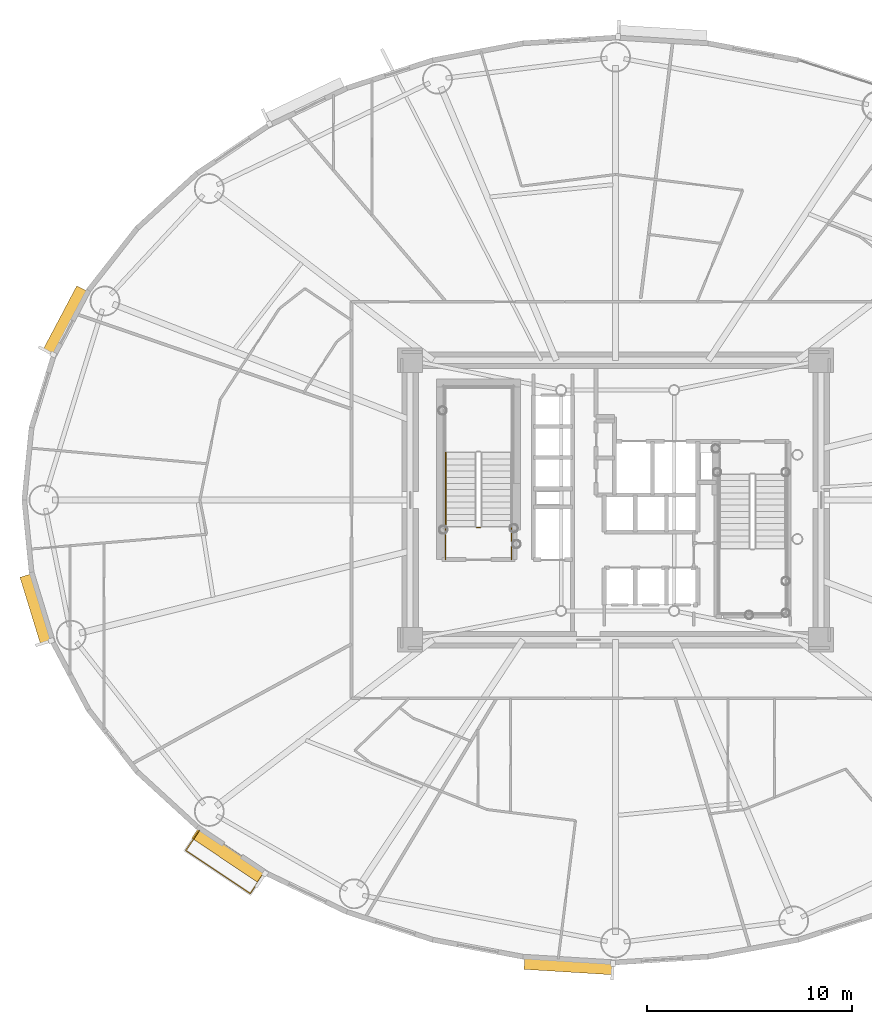
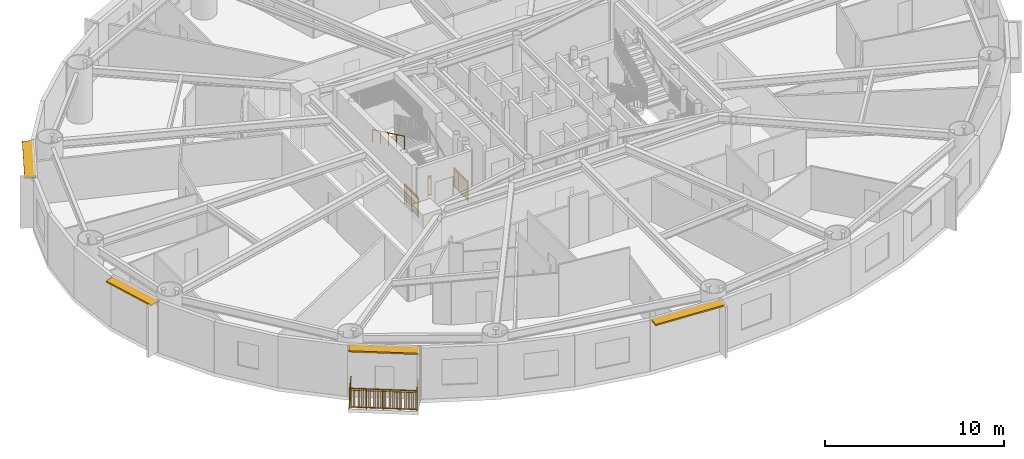
# One storey, part 13 of 18: 5 railings, 4 shading devices.
"""IFC4 building model written with IfcOpenShell, lengths in metres."""

from ifc_helpers import new_model, si_unit, direction, frame, origin, origin_2d, place, context, subcontext, project, spatial, rectangle, extrude, source, transform, mapped, material, layer, layer_set, type_object, element, save


model = new_model("IFC4")

# Units and contexts
model_context = context("Model", 3, precision=1e-05, world=origin(), true_north=direction((0.0, 1.0)))
body_context = subcontext(model_context, "Body", "Model", "MODEL_VIEW")
ifc_project = project(units=[si_unit("LENGTHUNIT", "METRE"), si_unit("AREAUNIT", "SQUARE_METRE"), si_unit("VOLUMEUNIT", "CUBIC_METRE"), si_unit("PLANEANGLEUNIT", "RADIAN"), si_unit("MASSUNIT", "GRAM", prefix="KILO")], contexts=[model_context])

# Site, building, storey
site_placement = place(None, origin())
site = spatial("IfcSite", under=ifc_project, at=site_placement, CompositionType="ELEMENT")
building_placement = place(site_placement, origin())
building = spatial("IfcBuilding", under=site, at=building_placement, Name="Linh Dai School and Residence Tower", CompositionType="ELEMENT")
storey_placement = place(building_placement, frame((0.0, 0.0, 100.949951171875)))
storey = spatial("IfcBuildingStorey", under=building, at=storey_placement, Name="L23", CompositionType="ELEMENT", Elevation=100.949951171875)

# Shading devices
ifc_material_1 = material(Name="Terracotta Ceramic Sunshade", Category="masonry")
ifc_layer = layer(ifc_material_1, 0.10009765625)
ifc_layer_set = layer_set([ifc_layer], Name="Terracotta Ceramic Sunshade")
shading_device_type = type_object("IfcShadingDeviceType", Name="SHD-TC-650", PredefinedType="USERDEFINED", material=ifc_layer_set)
shared_shape_1 = source(origin(), body_context, "Body", "SweptSolid", [
    extrude(rectangle(XDim=3.44384765625, YDim=0.64990234375, at=origin_2d()), origin(), (0.0, 0.0, 1.0), 0.10009765625),
])
shading_device_1_placement = place(storey_placement, frame((7.83154296875, 21.686279296875, 3.3798828125), z_axis=(0.0, 0.0, 1.0), x_axis=(-0.293133528962, 0.956071511028, 0.0)))
element("IfcShadingDevice", 1, at=shading_device_1_placement, inside=storey, type_object=shading_device_type, Name="L23 Terracotta Horizontal Sunshade Band 22", ObjectType="SUNSHADE", PredefinedType="USERDEFINED", context=body_context, shape_type="MappedRepresentation", body=[
    mapped(shared_shape_1, transform((0.0, 0.0, 0.0), x_axis=(1.0, 0.0, 0.0), y_axis=(0.0, 1.0, 0.0), z_axis=(0.0, 0.0, 1.0), scale=1.0)),
])
shared_shape_2 = source(origin(), body_context, "Body", "SweptSolid", [
    extrude(rectangle(XDim=3.96484375, YDim=0.64990234375, at=origin_2d()), origin(), (0.0, 0.0, 1.0), 0.10009765625),
])
shading_device_2_placement = place(storey_placement, frame((17.19970703125, 9.711669921875, 3.3798828125), z_axis=(0.0, 0.0, 1.0), x_axis=(-0.831240347736, 0.555913198527, 0.0)))
element("IfcShadingDevice", 2, at=shading_device_2_placement, inside=storey, type_object=shading_device_type, Name="L23 Terracotta Horizontal Sunshade Band 26", ObjectType="SUNSHADE", PredefinedType="USERDEFINED", context=body_context, shape_type="MappedRepresentation", body=[
    mapped(shared_shape_2, transform((0.0, 0.0, 0.0), x_axis=(1.0, 0.0, 0.0), y_axis=(0.0, 1.0, 0.0), z_axis=(0.0, 0.0, 1.0), scale=1.0)),
])
shared_shape_3 = source(origin(), body_context, "Body", "SweptSolid", [
    extrude(rectangle(XDim=4.33349609375, YDim=0.64990234375, at=origin_2d()), origin(), (0.0, 0.0, 1.0), 0.10009765625),
])
shading_device_3_placement = place(storey_placement, frame((33.729736328125, 4.349365234375, 3.3798828125), z_axis=(0.0, 0.0, 1.0), x_axis=(-0.998106513123, 0.061509255091, 0.0)))
element("IfcShadingDevice", 3, at=shading_device_3_placement, inside=storey, type_object=shading_device_type, Name="L23 Terracotta Horizontal Sunshade Band 30", ObjectType="SUNSHADE", PredefinedType="USERDEFINED", context=body_context, shape_type="MappedRepresentation", body=[
    mapped(shared_shape_3, transform((0.0, 0.0, 0.0), x_axis=(1.0, 0.0, 0.0), y_axis=(0.0, 1.0, 0.0), z_axis=(0.0, 0.0, 1.0), scale=1.0)),
])
shared_shape_4 = source(origin(), body_context, "Body", "SweptSolid", [
    extrude(rectangle(XDim=3.541015625, YDim=0.64990234375, at=origin_2d()), origin(), (0.0, 0.0, 1.0), 0.10009765625),
])
shading_device_4_placement = place(storey_placement, frame((9.240478515625, 35.708740234375, 3.3798828125), z_axis=(0.0, 0.0, 1.0), x_axis=(0.467596217252, 0.883942180016, 0.0)))
element("IfcShadingDevice", 4, at=shading_device_4_placement, inside=storey, type_object=shading_device_type, Name="L23 Terracotta Horizontal Sunshade Band 18", ObjectType="SUNSHADE", PredefinedType="USERDEFINED", context=body_context, shape_type="MappedRepresentation", body=[
    mapped(shared_shape_4, transform((0.0, 0.0, 0.0), x_axis=(1.0, 0.0, 0.0), y_axis=(0.0, 1.0, 0.0), z_axis=(0.0, 0.0, 1.0), scale=1.0)),
])

# Railings
ifc_material_2 = material(Name="Structural Steel S355JR", Category="steel")
railing_type_1 = type_object("IfcRailingType", Name="RL-BAL-1400", PredefinedType="BALUSTRADE", material=ifc_material_2)
shared_shape_5 = source(origin(), body_context, "Body", "SweptSolid", [
    extrude(rectangle(XDim=0.048095703125, YDim=0.048095703125, at=origin_2d()), frame((0.0, 0.0, 1.3759765625), z_axis=(-0.55589317819, -0.831253736498, 0.0), x_axis=(0.831253736498, -0.55589317819, 0.0)), (0.0, 0.0, 1.0), 1.18017578125),
    extrude(rectangle(XDim=0.048095703125, YDim=0.048095703125, at=origin_2d()), frame((0.0, 0.0, 0.10009765625), z_axis=(-0.55589317819, -0.831253736498, 0.0), x_axis=(0.831253736498, -0.55589317819, 0.0)), (0.0, 0.0, 1.0), 1.18017578125),
    extrude(rectangle(XDim=0.030029296875, YDim=0.030029296875, at=origin_2d()), frame((0.0, 0.0, 1.239990234375), z_axis=(-0.55589317819, -0.831253736498, 0.0), x_axis=(0.831253736498, -0.55589317819, 0.0)), (0.0, 0.0, 1.0), 1.18017578125),
    extrude(rectangle(XDim=0.02001953125, YDim=0.02001953125, at=origin_2d()), frame((-0.050537109375, -0.075439453125, 0.10009765625)), (0.0, 0.0, 1.0), 1.251708984375),
    extrude(rectangle(XDim=0.02001953125, YDim=0.02001953125, at=origin_2d()), frame((-0.100830078125, -0.15087890625, 0.10009765625)), (0.0, 0.0, 1.0), 1.251708984375),
    extrude(rectangle(XDim=0.02001953125, YDim=0.02001953125, at=origin_2d()), frame((-0.1513671875, -0.226318359375, 0.10009765625)), (0.0, 0.0, 1.0), 1.251708984375),
    extrude(rectangle(XDim=0.02001953125, YDim=0.02001953125, at=origin_2d()), frame((-0.201904296875, -0.3017578125, 0.10009765625)), (0.0, 0.0, 1.0), 1.251708984375),
    extrude(rectangle(XDim=0.02001953125, YDim=0.02001953125, at=origin_2d()), frame((-0.252197265625, -0.377197265625, 0.10009765625)), (0.0, 0.0, 1.0), 1.251708984375),
    extrude(rectangle(XDim=0.02001953125, YDim=0.02001953125, at=origin_2d()), frame((-0.302734375, -0.45263671875, 0.10009765625)), (0.0, 0.0, 1.0), 1.251708984375),
    extrude(rectangle(XDim=0.02001953125, YDim=0.02001953125, at=origin_2d()), frame((-0.353271484375, -0.5283203125, 0.10009765625)), (0.0, 0.0, 1.0), 1.251708984375),
    extrude(rectangle(XDim=0.02001953125, YDim=0.02001953125, at=origin_2d()), frame((-0.40380859375, -0.603759765625, 0.10009765625)), (0.0, 0.0, 1.0), 1.251708984375),
    extrude(rectangle(XDim=0.02001953125, YDim=0.02001953125, at=origin_2d()), frame((-0.4541015625, -0.67919921875, 0.10009765625)), (0.0, 0.0, 1.0), 1.251708984375),
    extrude(rectangle(XDim=0.02001953125, YDim=0.02001953125, at=origin_2d()), frame((-0.504638671875, -0.754638671875, 0.10009765625)), (0.0, 0.0, 1.0), 1.251708984375),
    extrude(rectangle(XDim=0.02001953125, YDim=0.02001953125, at=origin_2d()), frame((-0.55517578125, -0.830078125, 0.10009765625)), (0.0, 0.0, 1.0), 1.251708984375),
    extrude(rectangle(XDim=0.02001953125, YDim=0.02001953125, at=origin_2d()), frame((-0.60546875, -0.905517578125, 0.10009765625)), (0.0, 0.0, 1.0), 1.251708984375),
    extrude(rectangle(XDim=0.048095703125, YDim=0.048095703125, at=origin_2d()), frame((-0.656005859375, -0.98095703125, 1.3759765625), z_axis=(-0.831222471148, 0.555939927922, 0.0), x_axis=(-0.555939927922, -0.831222471148, 0.0)), (0.0, 0.0, 1.0), 3.77001953125),
    extrude(rectangle(XDim=0.048095703125, YDim=0.048095703125, at=origin_2d()), frame((-0.656005859375, -0.98095703125, 0.10009765625), z_axis=(-0.831222471148, 0.555939927922, 0.0), x_axis=(-0.555939927922, -0.831222471148, 0.0)), (0.0, 0.0, 1.0), 3.77001953125),
    extrude(rectangle(XDim=0.030029296875, YDim=0.030029296875, at=origin_2d()), frame((-0.656005859375, -0.98095703125, 1.239990234375), z_axis=(-0.831222471148, 0.555939927922, 0.0), x_axis=(-0.555939927922, -0.831222471148, 0.0)), (0.0, 0.0, 1.0), 3.77001953125),
    extrude(rectangle(XDim=0.02001953125, YDim=0.02001953125, at=origin_2d()), frame((-0.736328125, -0.92724609375, 0.10009765625)), (0.0, 0.0, 1.0), 1.251708984375),
    extrude(rectangle(XDim=0.02001953125, YDim=0.02001953125, at=origin_2d()), frame((-0.816650390625, -0.87353515625, 0.10009765625)), (0.0, 0.0, 1.0), 1.251708984375),
    extrude(rectangle(XDim=0.02001953125, YDim=0.02001953125, at=origin_2d()), frame((-0.89697265625, -0.81982421875, 0.10009765625)), (0.0, 0.0, 1.0), 1.251708984375),
    extrude(rectangle(XDim=0.02001953125, YDim=0.02001953125, at=origin_2d()), frame((-0.9775390625, -0.765869140625, 0.10009765625)), (0.0, 0.0, 1.0), 1.251708984375),
    extrude(rectangle(XDim=0.02001953125, YDim=0.02001953125, at=origin_2d()), frame((-1.057861328125, -0.712158203125, 0.10009765625)), (0.0, 0.0, 1.0), 1.251708984375),
    extrude(rectangle(XDim=0.02001953125, YDim=0.02001953125, at=origin_2d()), frame((-1.13818359375, -0.658447265625, 0.10009765625)), (0.0, 0.0, 1.0), 1.251708984375),
    extrude(rectangle(XDim=0.02001953125, YDim=0.02001953125, at=origin_2d()), frame((-1.218505859375, -0.604736328125, 0.10009765625)), (0.0, 0.0, 1.0), 1.251708984375),
    extrude(rectangle(XDim=0.02001953125, YDim=0.02001953125, at=origin_2d()), frame((-1.298828125, -0.551025390625, 0.10009765625)), (0.0, 0.0, 1.0), 1.251708984375),
    extrude(rectangle(XDim=0.02001953125, YDim=0.02001953125, at=origin_2d()), frame((-1.379150390625, -0.497314453125, 0.10009765625)), (0.0, 0.0, 1.0), 1.251708984375),
    extrude(rectangle(XDim=0.02001953125, YDim=0.02001953125, at=origin_2d()), frame((-1.539794921875, -0.389892578125, 0.10009765625)), (0.0, 0.0, 1.0), 1.251708984375),
    extrude(rectangle(XDim=0.02001953125, YDim=0.02001953125, at=origin_2d()), frame((-1.620361328125, -0.3359375, 0.10009765625)), (0.0, 0.0, 1.0), 1.251708984375),
    extrude(rectangle(XDim=0.02001953125, YDim=0.02001953125, at=origin_2d()), frame((-1.70068359375, -0.2822265625, 0.10009765625)), (0.0, 0.0, 1.0), 1.251708984375),
    extrude(rectangle(XDim=0.02001953125, YDim=0.02001953125, at=origin_2d()), frame((-1.781005859375, -0.228515625, 0.10009765625)), (0.0, 0.0, 1.0), 1.251708984375),
    extrude(rectangle(XDim=0.02001953125, YDim=0.02001953125, at=origin_2d()), frame((-1.861328125, -0.1748046875, 0.10009765625)), (0.0, 0.0, 1.0), 1.251708984375),
    extrude(rectangle(XDim=0.02001953125, YDim=0.02001953125, at=origin_2d()), frame((-1.941650390625, -0.12109375, 0.10009765625)), (0.0, 0.0, 1.0), 1.251708984375),
    extrude(rectangle(XDim=0.02001953125, YDim=0.02001953125, at=origin_2d()), frame((-2.02197265625, -0.0673828125, 0.10009765625)), (0.0, 0.0, 1.0), 1.251708984375),
    extrude(rectangle(XDim=0.02001953125, YDim=0.02001953125, at=origin_2d()), frame((-2.102294921875, -0.013671875, 0.10009765625)), (0.0, 0.0, 1.0), 1.251708984375),
    extrude(rectangle(XDim=0.02001953125, YDim=0.02001953125, at=origin_2d()), frame((-2.1826171875, 0.0400390625, 0.10009765625)), (0.0, 0.0, 1.0), 1.251708984375),
    extrude(rectangle(XDim=0.02001953125, YDim=0.02001953125, at=origin_2d()), frame((-2.26318359375, 0.093994140625, 0.10009765625)), (0.0, 0.0, 1.0), 1.251708984375),
    extrude(rectangle(XDim=0.02001953125, YDim=0.02001953125, at=origin_2d()), frame((-2.343505859375, 0.147705078125, 0.10009765625)), (0.0, 0.0, 1.0), 1.251708984375),
    extrude(rectangle(XDim=0.02001953125, YDim=0.02001953125, at=origin_2d()), frame((-2.423828125, 0.201416015625, 0.10009765625)), (0.0, 0.0, 1.0), 1.251708984375),
    extrude(rectangle(XDim=0.02001953125, YDim=0.02001953125, at=origin_2d()), frame((-2.504150390625, 0.255126953125, 0.10009765625)), (0.0, 0.0, 1.0), 1.251708984375),
    extrude(rectangle(XDim=0.02001953125, YDim=0.02001953125, at=origin_2d()), frame((-2.58447265625, 0.308837890625, 0.10009765625)), (0.0, 0.0, 1.0), 1.251708984375),
    extrude(rectangle(XDim=0.02001953125, YDim=0.02001953125, at=origin_2d()), frame((-2.664794921875, 0.362548828125, 0.10009765625)), (0.0, 0.0, 1.0), 1.251708984375),
    extrude(rectangle(XDim=0.02001953125, YDim=0.02001953125, at=origin_2d()), frame((-2.7451171875, 0.416259765625, 0.10009765625)), (0.0, 0.0, 1.0), 1.251708984375),
    extrude(rectangle(XDim=0.02001953125, YDim=0.02001953125, at=origin_2d()), frame((-2.825439453125, 0.469970703125, 0.10009765625)), (0.0, 0.0, 1.0), 1.251708984375),
    extrude(rectangle(XDim=0.02001953125, YDim=0.02001953125, at=origin_2d()), frame((-2.906005859375, 0.52392578125, 0.10009765625)), (0.0, 0.0, 1.0), 1.251708984375),
    extrude(rectangle(XDim=0.02001953125, YDim=0.02001953125, at=origin_2d()), frame((-3.066650390625, 0.63134765625, 0.10009765625)), (0.0, 0.0, 1.0), 1.251708984375),
    extrude(rectangle(XDim=0.02001953125, YDim=0.02001953125, at=origin_2d()), frame((-3.14697265625, 0.68505859375, 0.10009765625)), (0.0, 0.0, 1.0), 1.251708984375),
    extrude(rectangle(XDim=0.02001953125, YDim=0.02001953125, at=origin_2d()), frame((-3.227294921875, 0.73876953125, 0.10009765625)), (0.0, 0.0, 1.0), 1.251708984375),
    extrude(rectangle(XDim=0.02001953125, YDim=0.02001953125, at=origin_2d()), frame((-3.3076171875, 0.79248046875, 0.10009765625)), (0.0, 0.0, 1.0), 1.251708984375),
    extrude(rectangle(XDim=0.02001953125, YDim=0.02001953125, at=origin_2d()), frame((-3.387939453125, 0.84619140625, 0.10009765625)), (0.0, 0.0, 1.0), 1.251708984375),
    extrude(rectangle(XDim=0.02001953125, YDim=0.02001953125, at=origin_2d()), frame((-3.46826171875, 0.89990234375, 0.10009765625)), (0.0, 0.0, 1.0), 1.251708984375),
    extrude(rectangle(XDim=0.02001953125, YDim=0.02001953125, at=origin_2d()), frame((-3.548828125, 0.953857421875, 0.10009765625)), (0.0, 0.0, 1.0), 1.251708984375),
    extrude(rectangle(XDim=0.02001953125, YDim=0.02001953125, at=origin_2d()), frame((-3.629150390625, 1.007568359375, 0.10009765625)), (0.0, 0.0, 1.0), 1.251708984375),
    extrude(rectangle(XDim=0.02001953125, YDim=0.02001953125, at=origin_2d()), frame((-3.70947265625, 1.061279296875, 0.10009765625)), (0.0, 0.0, 1.0), 1.251708984375),
    extrude(rectangle(XDim=0.048095703125, YDim=0.048095703125, at=origin_2d()), frame((-3.789794921875, 1.114990234375, 1.3759765625), z_axis=(0.555988788917, 0.831189789758, 0.0), x_axis=(-0.831189789758, 0.555988788917, 0.0)), (0.0, 0.0, 1.0), 1.179931640625),
    extrude(rectangle(XDim=0.048095703125, YDim=0.048095703125, at=origin_2d()), frame((-3.789794921875, 1.114990234375, 0.10009765625), z_axis=(0.555988788917, 0.831189789758, 0.0), x_axis=(-0.831189789758, 0.555988788917, 0.0)), (0.0, 0.0, 1.0), 1.179931640625),
    extrude(rectangle(XDim=0.030029296875, YDim=0.030029296875, at=origin_2d()), frame((-3.789794921875, 1.114990234375, 1.239990234375), z_axis=(0.555988788917, 0.831189789758, 0.0), x_axis=(-0.831189789758, 0.555988788917, 0.0)), (0.0, 0.0, 1.0), 1.179931640625),
    extrude(rectangle(XDim=0.02001953125, YDim=0.02001953125, at=origin_2d()), frame((-3.7392578125, 1.1904296875, 0.10009765625)), (0.0, 0.0, 1.0), 1.251708984375),
    extrude(rectangle(XDim=0.02001953125, YDim=0.02001953125, at=origin_2d()), frame((-3.68896484375, 1.265869140625, 0.10009765625)), (0.0, 0.0, 1.0), 1.251708984375),
    extrude(rectangle(XDim=0.02001953125, YDim=0.02001953125, at=origin_2d()), frame((-3.638427734375, 1.34130859375, 0.10009765625)), (0.0, 0.0, 1.0), 1.251708984375),
    extrude(rectangle(XDim=0.02001953125, YDim=0.02001953125, at=origin_2d()), frame((-3.587890625, 1.416748046875, 0.10009765625)), (0.0, 0.0, 1.0), 1.251708984375),
    extrude(rectangle(XDim=0.02001953125, YDim=0.02001953125, at=origin_2d()), frame((-3.53759765625, 1.4921875, 0.10009765625)), (0.0, 0.0, 1.0), 1.251708984375),
    extrude(rectangle(XDim=0.02001953125, YDim=0.02001953125, at=origin_2d()), frame((-3.487060546875, 1.567626953125, 0.10009765625)), (0.0, 0.0, 1.0), 1.251708984375),
    extrude(rectangle(XDim=0.02001953125, YDim=0.02001953125, at=origin_2d()), frame((-3.4365234375, 1.64306640625, 0.10009765625)), (0.0, 0.0, 1.0), 1.251708984375),
    extrude(rectangle(XDim=0.02001953125, YDim=0.02001953125, at=origin_2d()), frame((-3.385986328125, 1.718505859375, 0.10009765625)), (0.0, 0.0, 1.0), 1.251708984375),
    extrude(rectangle(XDim=0.02001953125, YDim=0.02001953125, at=origin_2d()), frame((-3.335693359375, 1.7939453125, 0.10009765625)), (0.0, 0.0, 1.0), 1.251708984375),
    extrude(rectangle(XDim=0.02001953125, YDim=0.02001953125, at=origin_2d()), frame((-3.28515625, 1.869384765625, 0.10009765625)), (0.0, 0.0, 1.0), 1.251708984375),
    extrude(rectangle(XDim=0.02001953125, YDim=0.02001953125, at=origin_2d()), frame((-3.234619140625, 1.94482421875, 0.10009765625)), (0.0, 0.0, 1.0), 1.251708984375),
    extrude(rectangle(XDim=0.02001953125, YDim=0.02001953125, at=origin_2d()), frame((-3.184326171875, 2.020263671875, 0.10009765625)), (0.0, 0.0, 1.0), 1.251708984375),
    extrude(rectangle(XDim=0.0419921875, YDim=0.0419921875, at=origin_2d()), origin(), (0.0, 0.0, 1.0), 1.3759765625),
    extrude(rectangle(XDim=0.0419921875, YDim=0.0419921875, at=origin_2d()), frame((-0.656005859375, -0.98095703125, 0.0)), (0.0, 0.0, 1.0), 1.3759765625),
    extrude(rectangle(XDim=0.0419921875, YDim=0.0419921875, at=origin_2d()), frame((-1.439453125, -0.45703125, 0.0)), (0.0, 0.0, 1.0), 1.3759765625),
    extrude(rectangle(XDim=0.0419921875, YDim=0.0419921875, at=origin_2d()), frame((-2.222900390625, 0.06689453125, 0.0)), (0.0, 0.0, 1.0), 1.3759765625),
    extrude(rectangle(XDim=0.0419921875, YDim=0.0419921875, at=origin_2d()), frame((-3.00634765625, 0.591064453125, 0.0)), (0.0, 0.0, 1.0), 1.3759765625),
    extrude(rectangle(XDim=0.0419921875, YDim=0.0419921875, at=origin_2d()), frame((-3.789794921875, 1.114990234375, 0.0)), (0.0, 0.0, 1.0), 1.3759765625),
    extrude(rectangle(XDim=0.0419921875, YDim=0.0419921875, at=origin_2d()), frame((-3.1337890625, 2.095703125, 0.0)), (0.0, 0.0, 1.0), 1.3759765625),
])
railing_1_placement = place(storey_placement, frame((18.8779296875, 8.830078125, 0.0)))
element("IfcRailing", 5, at=railing_1_placement, inside=storey, type_object=railing_type_1, Name="L23 Balcony Safety Balustrade 26", PredefinedType="BALUSTRADE", context=body_context, shape_type="MappedRepresentation", body=[
    mapped(shared_shape_5, transform((0.0, 0.0, 0.0), x_axis=(1.0, 0.0, 0.0), y_axis=(0.0, 1.0, 0.0), z_axis=(0.0, 0.0, 1.0), scale=1.0)),
])
railing_type_2 = type_object("IfcRailingType", Name="RL-ST-GUARD-1400", PredefinedType="GUARDRAIL", material=ifc_material_2)
shared_shape_6 = source(origin(), body_context, "Body", "SweptSolid", [
    extrude(rectangle(XDim=0.048095703125, YDim=0.048095703125, at=origin_2d()), frame((0.0, 0.0, 1.3759765625), z_axis=(-1.0, 0.0, 0.0), x_axis=(0.0, -1.0, 0.0)), (0.0, 0.0, 1.0), 0.199951171875),
    extrude(rectangle(XDim=0.048095703125, YDim=0.048095703125, at=origin_2d()), frame((0.0, 0.0, 0.10009765625), z_axis=(-1.0, 0.0, 0.0), x_axis=(0.0, -1.0, 0.0)), (0.0, 0.0, 1.0), 0.199951171875),
    extrude(rectangle(XDim=0.030029296875, YDim=0.030029296875, at=origin_2d()), frame((0.0, 0.0, 1.239990234375), z_axis=(-1.0, 0.0, 0.0), x_axis=(0.0, -1.0, 0.0)), (0.0, 0.0, 1.0), 0.199951171875),
    extrude(rectangle(XDim=0.0419921875, YDim=0.0419921875, at=origin_2d()), origin(), (0.0, 0.0, 1.0), 1.3759765625),
    extrude(rectangle(XDim=0.0419921875, YDim=0.0419921875, at=origin_2d()), frame((-0.199951171875, 0.0, 0.0)), (0.0, 0.0, 1.0), 1.3759765625),
])
railing_2_placement = place(storey_placement, frame((29.429931640625, 25.64990234375, 0.0)))
element("IfcRailing", 6, at=railing_2_placement, inside=storey, type_object=railing_type_2, Name="L23 ST1 stair guard 7", PredefinedType="GUARDRAIL", context=body_context, shape_type="MappedRepresentation", body=[
    mapped(shared_shape_6, transform((0.0, 0.0, 0.0), x_axis=(1.0, 0.0, 0.0), y_axis=(0.0, 1.0, 0.0), z_axis=(0.0, 0.0, 1.0), scale=1.0)),
])
shared_shape_7 = source(origin(), body_context, "Body", "SweptSolid", [
    extrude(rectangle(XDim=0.048095703125, YDim=0.048095703125, at=origin_2d()), frame((0.0, 0.0, 1.3759765625), z_axis=(0.0, 1.0, 0.0), x_axis=(-1.0, 0.0, 0.0)), (0.0, 0.0, 1.0), 1.599853515625),
    extrude(rectangle(XDim=0.048095703125, YDim=0.048095703125, at=origin_2d()), frame((0.0, 0.0, 0.10009765625), z_axis=(0.0, 1.0, 0.0), x_axis=(-1.0, 0.0, 0.0)), (0.0, 0.0, 1.0), 1.599853515625),
    extrude(rectangle(XDim=0.030029296875, YDim=0.030029296875, at=origin_2d()), frame((0.0, 0.0, 1.239990234375), z_axis=(0.0, 1.0, 0.0), x_axis=(-1.0, 0.0, 0.0)), (0.0, 0.0, 1.0), 1.599853515625),
    extrude(rectangle(XDim=0.02001953125, YDim=0.02001953125, at=origin_2d()), frame((0.0, 0.093994140625, 0.10009765625)), (0.0, 0.0, 1.0), 1.251708984375),
    extrude(rectangle(XDim=0.02001953125, YDim=0.02001953125, at=origin_2d()), frame((0.0, 0.188232421875, 0.10009765625)), (0.0, 0.0, 1.0), 1.251708984375),
    extrude(rectangle(XDim=0.02001953125, YDim=0.02001953125, at=origin_2d()), frame((0.0, 0.2822265625, 0.10009765625)), (0.0, 0.0, 1.0), 1.251708984375),
    extrude(rectangle(XDim=0.02001953125, YDim=0.02001953125, at=origin_2d()), frame((0.0, 0.37646484375, 0.10009765625)), (0.0, 0.0, 1.0), 1.251708984375),
    extrude(rectangle(XDim=0.02001953125, YDim=0.02001953125, at=origin_2d()), frame((0.0, 0.470458984375, 0.10009765625)), (0.0, 0.0, 1.0), 1.251708984375),
    extrude(rectangle(XDim=0.02001953125, YDim=0.02001953125, at=origin_2d()), frame((0.0, 0.564697265625, 0.10009765625)), (0.0, 0.0, 1.0), 1.251708984375),
    extrude(rectangle(XDim=0.02001953125, YDim=0.02001953125, at=origin_2d()), frame((0.0, 0.65869140625, 0.10009765625)), (0.0, 0.0, 1.0), 1.251708984375),
    extrude(rectangle(XDim=0.02001953125, YDim=0.02001953125, at=origin_2d()), frame((0.0, 0.7529296875, 0.10009765625)), (0.0, 0.0, 1.0), 1.251708984375),
    extrude(rectangle(XDim=0.02001953125, YDim=0.02001953125, at=origin_2d()), frame((0.0, 0.846923828125, 0.10009765625)), (0.0, 0.0, 1.0), 1.251708984375),
    extrude(rectangle(XDim=0.02001953125, YDim=0.02001953125, at=origin_2d()), frame((0.0, 0.941162109375, 0.10009765625)), (0.0, 0.0, 1.0), 1.251708984375),
    extrude(rectangle(XDim=0.02001953125, YDim=0.02001953125, at=origin_2d()), frame((0.0, 1.03515625, 0.10009765625)), (0.0, 0.0, 1.0), 1.251708984375),
    extrude(rectangle(XDim=0.02001953125, YDim=0.02001953125, at=origin_2d()), frame((0.0, 1.12939453125, 0.10009765625)), (0.0, 0.0, 1.0), 1.251708984375),
    extrude(rectangle(XDim=0.02001953125, YDim=0.02001953125, at=origin_2d()), frame((0.0, 1.223388671875, 0.10009765625)), (0.0, 0.0, 1.0), 1.251708984375),
    extrude(rectangle(XDim=0.02001953125, YDim=0.02001953125, at=origin_2d()), frame((0.0, 1.317626953125, 0.10009765625)), (0.0, 0.0, 1.0), 1.251708984375),
    extrude(rectangle(XDim=0.02001953125, YDim=0.02001953125, at=origin_2d()), frame((0.0, 1.41162109375, 0.10009765625)), (0.0, 0.0, 1.0), 1.251708984375),
    extrude(rectangle(XDim=0.02001953125, YDim=0.02001953125, at=origin_2d()), frame((0.0, 1.505859375, 0.10009765625)), (0.0, 0.0, 1.0), 1.251708984375),
    extrude(rectangle(XDim=0.0419921875, YDim=0.0419921875, at=origin_2d()), origin(), (0.0, 0.0, 1.0), 1.3759765625),
    extrude(rectangle(XDim=0.0419921875, YDim=0.0419921875, at=origin_2d()), frame((0.0, 0.7998046875, 0.0)), (0.0, 0.0, 1.0), 1.3759765625),
    extrude(rectangle(XDim=0.0419921875, YDim=0.0419921875, at=origin_2d()), frame((0.0, 1.599853515625, 0.0)), (0.0, 0.0, 1.0), 1.3759765625),
])
for number, where, name in (
    (7, (30.929931640625, 24.10009765625, 0.0), "L23 ST1 stair guard 8"),
    (8, (27.72998046875, 24.10009765625, 0.0), "L23 ST1 stair guard 9"),
):
    element("IfcRailing", number, at=place(storey_placement, frame(where)), inside=storey, type_object=railing_type_2, Name=name, PredefinedType="GUARDRAIL", context=body_context, shape_type="MappedRepresentation", body=[
        mapped(shared_shape_7, transform((0.0, 0.0, 0.0), x_axis=(1.0, 0.0, 0.0), y_axis=(0.0, 1.0, 0.0), z_axis=(0.0, 0.0, 1.0), scale=1.0)),
    ])
ifc_material_3 = material(Name="Brushed Stainless Steel Handrail", Category="steel")
railing_type_3 = type_object("IfcRailingType", Name="RL-ST-HANDRAIL-900", PredefinedType="HANDRAIL", material=ifc_material_3)
shared_shape_8 = source(origin(), body_context, "Body", "SweptSolid", [
    extrude(rectangle(XDim=0.048095703125, YDim=0.048095703125, at=origin_2d()), frame((0.0, 0.0, 0.8759765625), z_axis=(0.0, -0.901262522062, 0.433273431364), x_axis=(1.0, 0.0, 0.0)), (0.0, 0.0, 1.0), 3.994384765625),
    extrude(rectangle(XDim=0.0419921875, YDim=0.0419921875, at=origin_2d()), origin(), (0.0, 0.0, 1.0), 0.8759765625),
    extrude(rectangle(XDim=0.0419921875, YDim=0.0419921875, at=origin_2d()), frame((0.0, -0.89990234375, 0.4326171875)), (0.0, 0.0, 1.0), 0.8759765625),
    extrude(rectangle(XDim=0.0419921875, YDim=0.0419921875, at=origin_2d()), frame((0.0, -1.800048828125, 0.865234375)), (0.0, 0.0, 1.0), 0.8759765625),
    extrude(rectangle(XDim=0.0419921875, YDim=0.0419921875, at=origin_2d()), frame((0.0, -2.7001953125, 1.298095703125)), (0.0, 0.0, 1.0), 0.8759765625),
    extrude(rectangle(XDim=0.0419921875, YDim=0.0419921875, at=origin_2d()), frame((0.0, -3.60009765625, 1.730712890625)), (0.0, 0.0, 1.0), 0.8759765625),
])
railing_3_placement = place(storey_placement, frame((27.72998046875, 29.300048828125, 2.019287109375)))
element("IfcRailing", 9, at=railing_3_placement, inside=storey, type_object=railing_type_3, Name="L23 ST1 stair handrail 2", PredefinedType="HANDRAIL", context=body_context, shape_type="MappedRepresentation", body=[
    mapped(shared_shape_8, transform((0.0, 0.0, 0.0), x_axis=(1.0, 0.0, 0.0), y_axis=(0.0, 1.0, 0.0), z_axis=(0.0, 0.0, 1.0), scale=1.0)),
])

save(model, "model.ifc")
